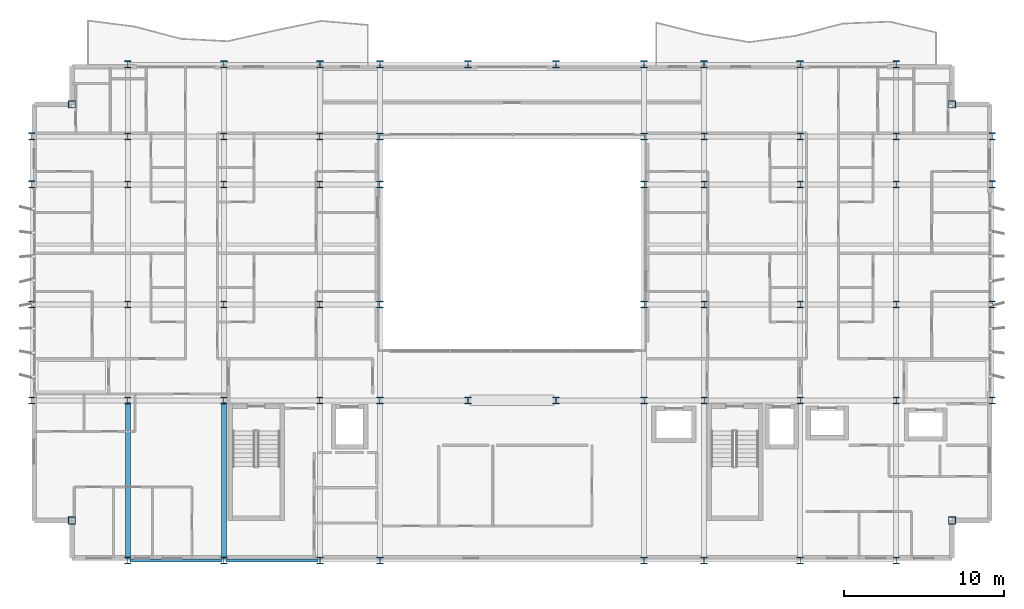
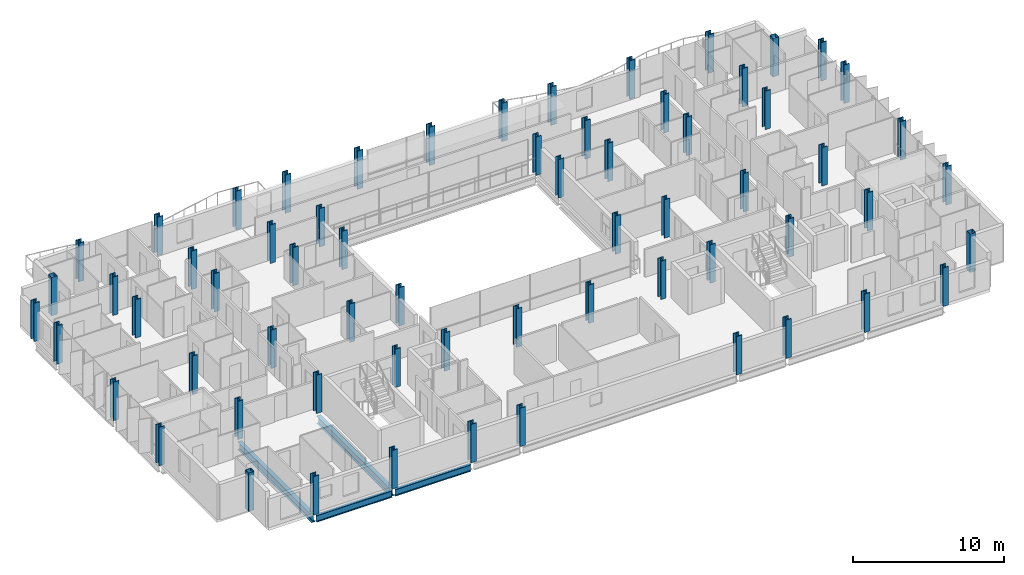
# One storey, part 1 of 39: 64 columns, 4 beams.
"""IFC4 building model written with IfcOpenShell, lengths in metres."""

from ifc_helpers import new_model, si_unit, direction, frame, origin, origin_2d, place, context, subcontext, project, spatial, hollow_rectangle, i_section, extrude, material, material_profile, profile_set, type_object, element, save


model = new_model("IFC4")

# Units and contexts
model_context = context("Model", 3, precision=1e-05, world=origin(), true_north=direction((0.0, 1.0)))
body_context = subcontext(model_context, "Body", "Model", "MODEL_VIEW")
ifc_project = project(units=[si_unit("LENGTHUNIT", "METRE"), si_unit("AREAUNIT", "SQUARE_METRE"), si_unit("VOLUMEUNIT", "CUBIC_METRE"), si_unit("PLANEANGLEUNIT", "RADIAN"), si_unit("MASSUNIT", "GRAM", prefix="KILO")], contexts=[model_context])

# Site, building, storey
site_placement = place(None, origin())
site = spatial("IfcSite", under=ifc_project, at=site_placement, CompositionType="ELEMENT")
building_placement = place(site_placement, origin())
building = spatial("IfcBuilding", under=site, at=building_placement, Name="Brevholm Reach", CompositionType="ELEMENT")
storey_placement = place(building_placement, frame((0.0, 0.0, 77.60009765625)))
storey = spatial("IfcBuildingStorey", under=building, at=storey_placement, Name="L22", CompositionType="ELEMENT", Elevation=77.60009765625)

# Columns
ifc_material_1 = material(Name="Structural Steel S460NH", Category="steel")
ifc_material_profile_1 = material_profile(ifc_material_1, hollow_rectangle(XDim=0.449951171875, YDim=0.449951171875, WallThickness=0.02490234375, InnerFilletRadius=0.011962890625, OuterFilletRadius=0.02392578125, at=origin_2d()), Name="SHS 450x450x25")
ifc_profile_set_1 = profile_set([ifc_material_profile_1], Name="Structural Steel S460NH")
column_type_1 = type_object("IfcColumnType", Name="COL-SHS1", PredefinedType="COLUMN", material=ifc_profile_set_1)
for number, where, z_axis, x_axis, name in (
    (1, (2.5, 2.5, 0.0), (0.0, 0.0, 1.0), (1.0, 0.0, 0.0), "L22 Column 05"),
    (2, (2.5, 28.5, 0.0), (0.0, 0.0, 1.0), (1.0, 0.0, 0.0), "L22 Column 06"),
    (3, (57.5, 2.5, 0.0), (0.0, 0.0, 1.0), (1.0, 0.0, 0.0), "L22 Column 59"),
    (4, (57.5, 28.5, 0.0), (0.0, 0.0, 1.0), (1.0, 0.0, 0.0), "L22 Column 60"),
):
    element("IfcColumn", number, at=place(storey_placement, frame(where, z_axis=z_axis, x_axis=x_axis)), inside=storey, type_object=column_type_1, Name=name, PredefinedType="COLUMN", context=body_context, shape_type="SweptSolid", body=[
        extrude(hollow_rectangle(XDim=0.449951171875, YDim=0.449951171875, WallThickness=0.02490234375, InnerFilletRadius=0.011962890625, OuterFilletRadius=0.02392578125, at=origin_2d()), origin(), (0.0, 0.0, 1.0), 3.099853515625),
    ])
ifc_material_2 = material(Name="Structural Steel S460ML", Category="steel")
ifc_material_profile_2 = material_profile(ifc_material_2, i_section(OverallWidth=0.41845703125, OverallDepth=0.45556640625, WebThickness=0.0419921875, FlangeThickness=0.0673828125, FilletRadius=0.01513671875, at=origin_2d()), Name="UKC 356x406x551")
ifc_profile_set_2 = profile_set([ifc_material_profile_2], Name="Structural Steel S460ML")
column_type_2 = type_object("IfcColumnType", Name="COL-UC2", PredefinedType="COLUMN", material=ifc_profile_set_2)
for number, where, z_axis, x_axis, name in (
    (5, (0.0, 10.0, 0.0), (0.0, 0.0, 1.0), (1.0, 0.0, 0.0), "L22 Column 01"),
    (6, (0.0, 16.0, 0.0), (0.0, 0.0, 1.0), (1.0, 0.0, 0.0), "L22 Column 02"),
    (7, (0.0, 23.5, 0.0), (0.0, 0.0, 1.0), (1.0, 0.0, 0.0), "L22 Column 03"),
    (8, (0.0, 26.5, 0.0), (0.0, 0.0, 1.0), (1.0, 0.0, 0.0), "L22 Column 04"),
    (9, (6.0, 0.0, 0.0), (0.0, 0.0, 1.0), (1.0, 0.0, 0.0), "L22 Column 07"),
    (10, (6.0, 31.0, 0.0), (0.0, 0.0, 1.0), (1.0, 0.0, 0.0), "L22 Column 12"),
    (11, (12.0, 0.0, 0.0), (0.0, 0.0, 1.0), (1.0, 0.0, 0.0), "L22 Column 13"),
    (12, (12.0, 31.0, 0.0), (0.0, 0.0, 1.0), (1.0, 0.0, 0.0), "L22 Column 18"),
    (13, (18.0, 0.0, 0.0), (0.0, 0.0, 1.0), (1.0, 0.0, 0.0), "L22 Column 19"),
    (14, (18.0, 31.0, 0.0), (0.0, 0.0, 1.0), (1.0, 0.0, 0.0), "L22 Column 24"),
    (15, (21.75, 0.0, 0.0), (0.0, 0.0, 1.0), (1.0, 0.0, 0.0), "L22 Column 25"),
    (16, (21.75, 31.0, 0.0), (0.0, 0.0, 1.0), (1.0, 0.0, 0.0), "L22 Column 30"),
    (17, (27.25, 31.0, 0.0), (0.0, 0.0, 1.0), (1.0, 0.0, 0.0), "L22 Column 32"),
    (18, (32.75, 31.0, 0.0), (0.0, 0.0, 1.0), (1.0, 0.0, 0.0), "L22 Column 34"),
    (19, (38.25, 0.0, 0.0), (0.0, 0.0, 1.0), (1.0, 0.0, 0.0), "L22 Column 35"),
    (20, (38.25, 31.0, 0.0), (0.0, 0.0, 1.0), (1.0, 0.0, 0.0), "L22 Column 40"),
    (21, (42.0, 0.0, 0.0), (0.0, 0.0, 1.0), (1.0, 0.0, 0.0), "L22 Column 41"),
    (22, (42.0, 31.0, 0.0), (0.0, 0.0, 1.0), (1.0, 0.0, 0.0), "L22 Column 46"),
    (23, (48.0, 0.0, 0.0), (0.0, 0.0, 1.0), (1.0, 0.0, 0.0), "L22 Column 47"),
    (24, (48.0, 31.0, 0.0), (0.0, 0.0, 1.0), (1.0, 0.0, 0.0), "L22 Column 52"),
    (25, (54.0, 0.0, 0.0), (0.0, 0.0, 1.0), (1.0, 0.0, 0.0), "L22 Column 53"),
    (26, (54.0, 31.0, 0.0), (0.0, 0.0, 1.0), (1.0, 0.0, 0.0), "L22 Column 58"),
    (27, (60.0, 10.0, 0.0), (0.0, 0.0, 1.0), (1.0, 0.0, 0.0), "L22 Column 61"),
    (28, (60.0, 16.0, 0.0), (0.0, 0.0, 1.0), (1.0, 0.0, 0.0), "L22 Column 62"),
    (29, (60.0, 23.5, 0.0), (0.0, 0.0, 1.0), (1.0, 0.0, 0.0), "L22 Column 63"),
    (30, (60.0, 26.5, 0.0), (0.0, 0.0, 1.0), (1.0, 0.0, 0.0), "L22 Column 64"),
):
    element("IfcColumn", number, at=place(storey_placement, frame(where, z_axis=z_axis, x_axis=x_axis)), inside=storey, type_object=column_type_2, Name=name, PredefinedType="COLUMN", context=body_context, shape_type="SweptSolid", body=[
        extrude(i_section(OverallWidth=0.41845703125, OverallDepth=0.45556640625, WebThickness=0.0419921875, FlangeThickness=0.0673828125, FilletRadius=0.01513671875, at=origin_2d()), origin(), (0.0, 0.0, 1.0), 3.099853515625),
    ])
ifc_material_3 = material(Name="Structural Steel S460ML", Category="steel")
ifc_material_profile_3 = material_profile(ifc_material_3, i_section(OverallWidth=0.412109375, OverallDepth=0.4365234375, WebThickness=0.035888671875, FlangeThickness=0.05810546875, FilletRadius=0.01513671875, at=origin_2d()), Name="UKC 356x406x467")
ifc_profile_set_3 = profile_set([ifc_material_profile_3], Name="Structural Steel S460ML")
column_type_3 = type_object("IfcColumnType", Name="COL-UC3", PredefinedType="COLUMN", material=ifc_profile_set_3)
for number, where, z_axis, x_axis, name in (
    (31, (6.0, 10.0, 0.0), (0.0, 0.0, 1.0), (1.0, 0.0, 0.0), "L22 Column 08"),
    (32, (6.0, 16.0, 0.0), (0.0, 0.0, 1.0), (1.0, 0.0, 0.0), "L22 Column 09"),
    (33, (6.0, 23.5, 0.0), (0.0, 0.0, 1.0), (1.0, 0.0, 0.0), "L22 Column 10"),
    (34, (6.0, 26.5, 0.0), (0.0, 0.0, 1.0), (1.0, 0.0, 0.0), "L22 Column 11"),
    (35, (12.0, 10.0, 0.0), (0.0, 0.0, 1.0), (1.0, 0.0, 0.0), "L22 Column 14"),
    (36, (12.0, 16.0, 0.0), (0.0, 0.0, 1.0), (1.0, 0.0, 0.0), "L22 Column 15"),
    (37, (12.0, 23.5, 0.0), (0.0, 0.0, 1.0), (1.0, 0.0, 0.0), "L22 Column 16"),
    (38, (12.0, 26.5, 0.0), (0.0, 0.0, 1.0), (1.0, 0.0, 0.0), "L22 Column 17"),
    (39, (18.0, 10.0, 0.0), (0.0, 0.0, 1.0), (1.0, 0.0, 0.0), "L22 Column 20"),
    (40, (18.0, 16.0, 0.0), (0.0, 0.0, 1.0), (1.0, 0.0, 0.0), "L22 Column 21"),
    (41, (18.0, 23.5, 0.0), (0.0, 0.0, 1.0), (1.0, 0.0, 0.0), "L22 Column 22"),
    (42, (18.0, 26.5, 0.0), (0.0, 0.0, 1.0), (1.0, 0.0, 0.0), "L22 Column 23"),
    (43, (21.75, 10.0, 0.0), (0.0, 0.0, 1.0), (1.0, 0.0, 0.0), "L22 Column 26"),
    (44, (21.75, 16.0, 0.0), (0.0, 0.0, 1.0), (1.0, 0.0, 0.0), "L22 Column 27"),
    (45, (21.75, 23.5, 0.0), (0.0, 0.0, 1.0), (1.0, 0.0, 0.0), "L22 Column 28"),
    (46, (21.75, 26.5, 0.0), (0.0, 0.0, 1.0), (1.0, 0.0, 0.0), "L22 Column 29"),
    (47, (27.25, 10.0, 0.0), (0.0, 0.0, 1.0), (1.0, 0.0, 0.0), "L22 Column 31"),
    (48, (32.75, 10.0, 0.0), (0.0, 0.0, 1.0), (1.0, 0.0, 0.0), "L22 Column 33"),
    (49, (38.25, 10.0, 0.0), (0.0, 0.0, 1.0), (1.0, 0.0, 0.0), "L22 Column 36"),
    (50, (38.25, 16.0, 0.0), (0.0, 0.0, 1.0), (1.0, 0.0, 0.0), "L22 Column 37"),
    (51, (38.25, 23.5, 0.0), (0.0, 0.0, 1.0), (1.0, 0.0, 0.0), "L22 Column 38"),
    (52, (38.25, 26.5, 0.0), (0.0, 0.0, 1.0), (1.0, 0.0, 0.0), "L22 Column 39"),
    (53, (42.0, 10.0, 0.0), (0.0, 0.0, 1.0), (1.0, 0.0, 0.0), "L22 Column 42"),
    (54, (42.0, 16.0, 0.0), (0.0, 0.0, 1.0), (1.0, 0.0, 0.0), "L22 Column 43"),
    (55, (42.0, 23.5, 0.0), (0.0, 0.0, 1.0), (1.0, 0.0, 0.0), "L22 Column 44"),
    (56, (42.0, 26.5, 0.0), (0.0, 0.0, 1.0), (1.0, 0.0, 0.0), "L22 Column 45"),
    (57, (48.0, 10.0, 0.0), (0.0, 0.0, 1.0), (1.0, 0.0, 0.0), "L22 Column 48"),
    (58, (48.0, 16.0, 0.0), (0.0, 0.0, 1.0), (1.0, 0.0, 0.0), "L22 Column 49"),
    (59, (48.0, 23.5, 0.0), (0.0, 0.0, 1.0), (1.0, 0.0, 0.0), "L22 Column 50"),
    (60, (48.0, 26.5, 0.0), (0.0, 0.0, 1.0), (1.0, 0.0, 0.0), "L22 Column 51"),
    (61, (54.0, 10.0, 0.0), (0.0, 0.0, 1.0), (1.0, 0.0, 0.0), "L22 Column 54"),
    (62, (54.0, 16.0, 0.0), (0.0, 0.0, 1.0), (1.0, 0.0, 0.0), "L22 Column 55"),
    (63, (54.0, 23.5, 0.0), (0.0, 0.0, 1.0), (1.0, 0.0, 0.0), "L22 Column 56"),
    (64, (54.0, 26.5, 0.0), (0.0, 0.0, 1.0), (1.0, 0.0, 0.0), "L22 Column 57"),
):
    element("IfcColumn", number, at=place(storey_placement, frame(where, z_axis=z_axis, x_axis=x_axis)), inside=storey, type_object=column_type_3, Name=name, PredefinedType="COLUMN", context=body_context, shape_type="SweptSolid", body=[
        extrude(i_section(OverallWidth=0.412109375, OverallDepth=0.4365234375, WebThickness=0.035888671875, FlangeThickness=0.05810546875, FilletRadius=0.01513671875, at=origin_2d()), origin(), (0.0, 0.0, 1.0), 3.099853515625),
    ])

# Beams
ifc_material_4 = material(Name="Structural Steel S355J2", Category="steel")
ifc_material_profile_4 = material_profile(ifc_material_4, i_section(OverallWidth=0.210693359375, OverallDepth=0.53955078125, WebThickness=0.01171875, FlangeThickness=0.018798828125, FilletRadius=0.0126953125, at=origin_2d()), Name="UKB 533x210x109")
ifc_profile_set_4 = profile_set([ifc_material_profile_4], Name="Structural Steel S355J2")
beam_type_1 = type_object("IfcBeamType", Name="BM-SP539", PredefinedType="SPANDREL", material=ifc_profile_set_4)
for number, where, z_axis, x_axis, name in (
    (65, (6.1201171875, 0.0, -0.499755859375), (1.0, 0.0, 0.0), (0.0, 1.0, 0.0), "L22 SP-01B Framing Beam"),
    (66, (12.1201171875, 0.0, -0.499755859375), (1.0, 0.0, 0.0), (0.0, 1.0, 0.0), "L22 SP-01B Framing Beam"),
):
    element("IfcBeam", number, at=place(storey_placement, frame(where, z_axis=z_axis, x_axis=x_axis)), inside=storey, type_object=beam_type_1, Name=name, PredefinedType="SPANDREL", context=body_context, shape_type="SweptSolid", body=[
        extrude(i_section(OverallWidth=0.210693359375, OverallDepth=0.53955078125, WebThickness=0.01171875, FlangeThickness=0.018798828125, FilletRadius=0.0126953125, at=origin_2d()), origin(), (0.0, 0.0, 1.0), 5.759765625),
    ])
ifc_material_5 = material(Name="Structural Steel S355J2", Category="steel")
ifc_material_profile_5 = material_profile(ifc_material_5, i_section(OverallWidth=0.30712890625, OverallDepth=0.6201171875, WebThickness=0.01416015625, FlangeThickness=0.023681640625, FilletRadius=0.0166015625, at=origin_2d()), Name="UKB 610x305x179")
ifc_profile_set_5 = profile_set([ifc_material_profile_5], Name="Structural Steel S355J2")
beam_type_2 = type_object("IfcBeamType", Name="BM-UKB610H", PredefinedType="USERDEFINED", material=ifc_profile_set_5)
for number, where, z_axis, x_axis, name in (
    (67, (6.0, 0.1201171875, -0.540283203125), (0.0, 1.0, 0.0), (-1.0, 0.0, 0.0), "L22 G-06 Framing Beam"),
    (68, (12.0, 0.1201171875, -0.540283203125), (0.0, 1.0, 0.0), (-1.0, 0.0, 0.0), "L22 G-06 Framing Beam"),
):
    element("IfcBeam", number, at=place(storey_placement, frame(where, z_axis=z_axis, x_axis=x_axis)), inside=storey, type_object=beam_type_2, Name=name, ObjectType="GIRDER", PredefinedType="USERDEFINED", context=body_context, shape_type="SweptSolid", body=[
        extrude(i_section(OverallWidth=0.30712890625, OverallDepth=0.6201171875, WebThickness=0.01416015625, FlangeThickness=0.023681640625, FilletRadius=0.0166015625, at=origin_2d()), origin(), (0.0, 0.0, 1.0), 9.759765625),
    ])

save(model, "model.ifc")
